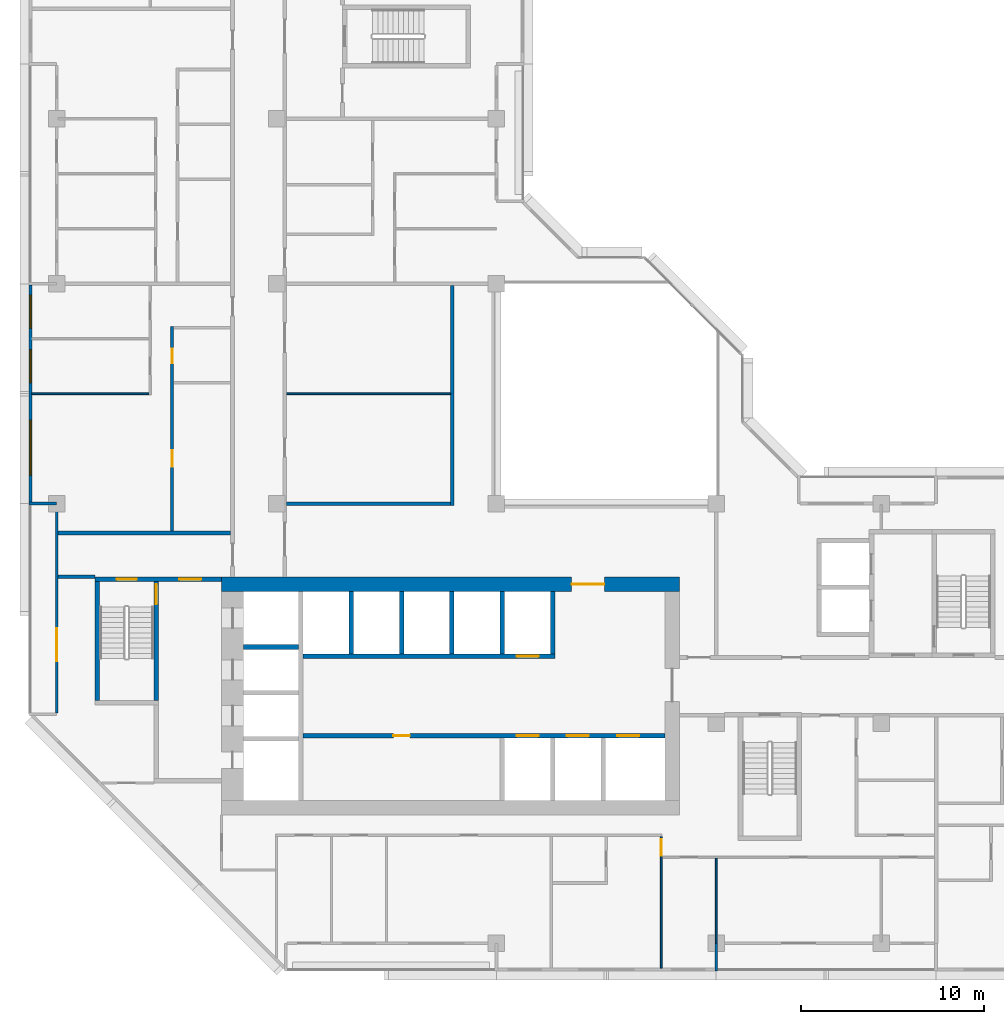
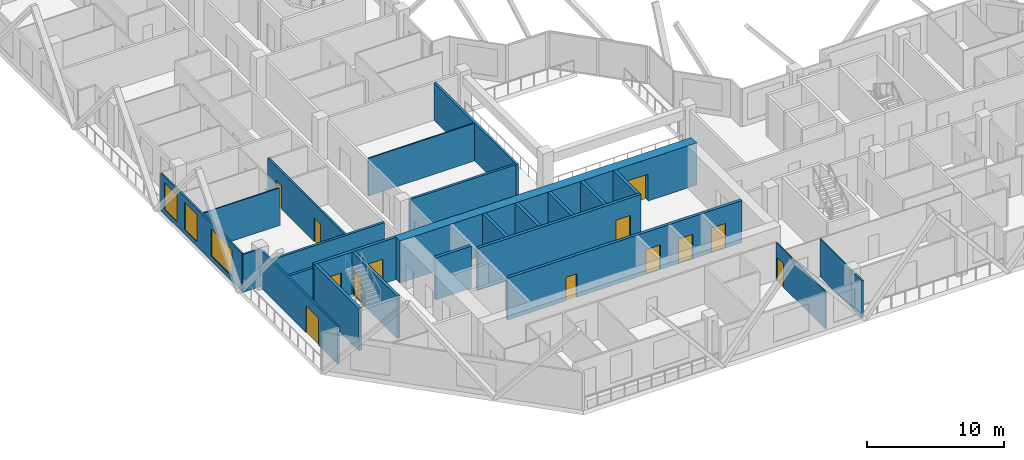
# One storey, part 5 of 14: 25 walls, 13 doors, 3 windows, 16 openings.
"""IFC4 building model written with IfcOpenShell, lengths in metres."""

from ifc_helpers import new_model, si_unit, direction, frame, frame_2d, origin, place, context, subcontext, project, spatial, rectangle, extrude, material, layer, layer_set, type_object, element, fill, save


model = new_model("IFC4")

# Units and contexts
model_context = context("Model", 3, precision=1e-05, world=origin(), true_north=direction((0.0, 1.0)))
body_context = subcontext(model_context, "Body", "Model", "MODEL_VIEW")
ifc_project = project(units=[si_unit("LENGTHUNIT", "METRE"), si_unit("AREAUNIT", "SQUARE_METRE"), si_unit("VOLUMEUNIT", "CUBIC_METRE"), si_unit("PLANEANGLEUNIT", "RADIAN"), si_unit("MASSUNIT", "GRAM", prefix="KILO")], contexts=[model_context])

# Site, building, storey
site_placement = place(None, origin())
site = spatial("IfcSite", under=ifc_project, at=site_placement, CompositionType="ELEMENT")
building_placement = place(site_placement, origin())
building = spatial("IfcBuilding", under=site, at=building_placement, Name="Chenar Terraces", CompositionType="ELEMENT")
storey_placement = place(building_placement, frame((0.0, 0.0, 164.89990234375)))
storey = spatial("IfcBuildingStorey", under=building, at=storey_placement, Name="L37", CompositionType="ELEMENT", Elevation=164.89990234375)

# Wall, openings, doors
ifc_material_1 = material(Name="Concrete C60/75", Category="concrete")
ifc_layer_1 = layer(ifc_material_1, 0.25)
ifc_layer_set_1 = layer_set([ifc_layer_1], Name="Concrete C60/75")
wall_type_1 = type_object("IfcWallType", Name="Core wall 250 Concrete C60/75", PredefinedType="SHEAR", material=ifc_layer_set_1)
wall_1_placement = place(storey_placement, frame((13.449951171875, 11.324951171875, 0.0), z_axis=(0.0, 0.0, 1.0), x_axis=(1.0, 0.0, 0.0)))
wall_1 = element("IfcWall", 1, at=wall_1_placement, inside=storey, type_object=wall_type_1, Name="Core wall SF L37", PredefinedType="SHEAR", context=body_context, shape_type="SweptSolid", body=[
    extrude(rectangle(XDim=19.75, YDim=0.25, at=frame_2d((9.875, 0.0))), origin(), (0.0, 0.0, 1.0), 3.75),
])
opening_1_placement = place(wall_1_placement, frame((11.64990234375, 0.0, 0.0)))
opening_1 = element("IfcOpeningElement", 2, at=opening_1_placement, cuts=wall_1, Name="Opening DL37-LD1", PredefinedType="OPENING", context=body_context, shape_type="SweptSolid", body=[
    extrude(rectangle(XDim=1.199951171875, YDim=2.199951171875, at=frame_2d((0.60009765625, 1.10009765625))), frame((0.0, 0.135009765625, 0.0), z_axis=(0.0, -1.0, 0.0), x_axis=(1.0, 0.0, 0.0)), (0.0, 0.0, 1.0), 0.27001953125),
])
opening_2_placement = place(wall_1_placement, frame((14.39990234375, 0.0, 0.0)))
opening_2 = element("IfcOpeningElement", 3, at=opening_2_placement, cuts=wall_1, Name="Opening DL37-LD2", PredefinedType="OPENING", context=body_context, shape_type="SweptSolid", body=[
    extrude(rectangle(XDim=1.199951171875, YDim=2.199951171875, at=frame_2d((0.60009765625, 1.10009765625))), frame((0.0, 0.135009765625, 0.0), z_axis=(0.0, -1.0, 0.0), x_axis=(1.0, 0.0, 0.0)), (0.0, 0.0, 1.0), 0.27001953125),
])
opening_3_placement = place(wall_1_placement, frame((17.14990234375, 0.0, 0.0)))
opening_3 = element("IfcOpeningElement", 4, at=opening_3_placement, cuts=wall_1, Name="Opening DL37-LD3", PredefinedType="OPENING", context=body_context, shape_type="SweptSolid", body=[
    extrude(rectangle(XDim=1.199951171875, YDim=2.199951171875, at=frame_2d((0.60009765625, 1.10009765625))), frame((0.0, 0.135009765625, 0.0), z_axis=(0.0, -1.0, 0.0), x_axis=(1.0, 0.0, 0.0)), (0.0, 0.0, 1.0), 0.27001953125),
])
opening_4_placement = place(wall_1_placement, frame((4.925048828125, 0.0, 0.0)))
opening_4 = element("IfcOpeningElement", 5, at=opening_4_placement, cuts=wall_1, Name="Opening DL37-C12", PredefinedType="OPENING", context=body_context, shape_type="SweptSolid", body=[
    extrude(rectangle(XDim=0.89990234375, YDim=2.10009765625, at=frame_2d((0.449951171875, 1.050048828125))), frame((0.0, 0.135009765625, 0.0), z_axis=(0.0, -1.0, 0.0), x_axis=(1.0, 0.0, 0.0)), (0.0, 0.0, 1.0), 0.27001953125),
])
ifc_material_2 = material(Name="Stainless steel", Category="steel")
door_type_1 = type_object("IfcDoorType", Name="Lift landing door 1200 x 2200 sliding", OperationType="DOUBLE_DOOR_SLIDING", PredefinedType="DOOR", material=ifc_material_2)
door_1_placement = place(opening_1_placement, origin())
door_1 = element("IfcDoor", 6, at=door_1_placement, inside=storey, type_object=door_type_1, Name="Landing door M1", OperationType="DOUBLE_DOOR_SLIDING", OverallHeight=2.199951171875, OverallWidth=1.199951171875, PredefinedType="DOOR", context=body_context, shape_type="SweptSolid", body=[
    extrude(rectangle(XDim=1.199951171875, YDim=2.199951171875, at=frame_2d((0.60009765625, 1.10009765625))), frame((0.0, 0.02490234375, 0.0), z_axis=(0.0, -1.0, 0.0), x_axis=(1.0, 0.0, 0.0)), (0.0, 0.0, 1.0), 0.050048828125),
])
fill(opening_1, door_1)
door_2_placement = place(opening_2_placement, origin())
door_2 = element("IfcDoor", 7, at=door_2_placement, inside=storey, type_object=door_type_1, Name="Landing door M2", OperationType="DOUBLE_DOOR_SLIDING", OverallHeight=2.199951171875, OverallWidth=1.199951171875, PredefinedType="DOOR", context=body_context, shape_type="SweptSolid", body=[
    extrude(rectangle(XDim=1.199951171875, YDim=2.199951171875, at=frame_2d((0.60009765625, 1.10009765625))), frame((0.0, 0.02490234375, 0.0), z_axis=(0.0, -1.0, 0.0), x_axis=(1.0, 0.0, 0.0)), (0.0, 0.0, 1.0), 0.050048828125),
])
fill(opening_2, door_2)
door_3_placement = place(opening_3_placement, origin())
door_3 = element("IfcDoor", 8, at=door_3_placement, inside=storey, type_object=door_type_1, Name="Landing door M3", OperationType="DOUBLE_DOOR_SLIDING", OverallHeight=2.199951171875, OverallWidth=1.199951171875, PredefinedType="DOOR", context=body_context, shape_type="SweptSolid", body=[
    extrude(rectangle(XDim=1.199951171875, YDim=2.199951171875, at=frame_2d((0.60009765625, 1.10009765625))), frame((0.0, 0.02490234375, 0.0), z_axis=(0.0, -1.0, 0.0), x_axis=(1.0, 0.0, 0.0)), (0.0, 0.0, 1.0), 0.050048828125),
])
fill(opening_3, door_3)
ifc_material_3 = material(Name="Steel-framed fire-resisting door leaf", Category="steel")
door_type_2 = type_object("IfcDoorType", Name="Riser fire door FD60 900 x 2100", OperationType="SINGLE_SWING_LEFT", PredefinedType="DOOR", material=ifc_material_3)
door_4_placement = place(opening_4_placement, frame((0.89990234375, 0.0, 0.0), z_axis=(0.0, 0.0, 1.0), x_axis=(-1.0, 0.0, 0.0)))
door_4 = element("IfcDoor", 9, at=door_4_placement, inside=storey, type_object=door_type_2, Name="Core room door DL37-C12", OperationType="SINGLE_SWING_RIGHT", OverallHeight=2.10009765625, OverallWidth=0.89990234375, PredefinedType="DOOR", context=body_context, shape_type="SweptSolid", body=[
    extrude(rectangle(XDim=0.89990234375, YDim=2.10009765625, at=frame_2d((0.449951171875, 1.050048828125))), frame((0.0, 0.02490234375, 0.0), z_axis=(0.0, -1.0, 0.0), x_axis=(1.0, 0.0, 0.0)), (0.0, 0.0, 1.0), 0.050048828125),
])
fill(opening_4, door_4)

# Wall, opening, door
wall_2_placement = place(storey_placement, frame((13.449951171875, 15.675048828125, 0.0), z_axis=(0.0, 0.0, 1.0), x_axis=(1.0, 0.0, 0.0)))
wall_2 = element("IfcWall", 10, at=wall_2_placement, inside=storey, type_object=wall_type_1, Name="Core wall NF L37", PredefinedType="SHEAR", context=body_context, shape_type="SweptSolid", body=[
    extrude(rectangle(XDim=13.75, YDim=0.25, at=frame_2d((6.875, 0.0))), origin(), (0.0, 0.0, 1.0), 3.75),
])
opening_5_placement = place(wall_2_placement, frame((11.64990234375, 0.0, 0.0)))
opening_5 = element("IfcOpeningElement", 11, at=opening_5_placement, cuts=wall_2, Name="Opening DL37-LD4", PredefinedType="OPENING", context=body_context, shape_type="SweptSolid", body=[
    extrude(rectangle(XDim=1.199951171875, YDim=2.199951171875, at=frame_2d((0.60009765625, 1.10009765625))), frame((0.0, 0.135009765625, 0.0), z_axis=(0.0, -1.0, 0.0), x_axis=(1.0, 0.0, 0.0)), (0.0, 0.0, 1.0), 0.27001953125),
])
door_5_placement = place(opening_5_placement, origin())
door_5 = element("IfcDoor", 12, at=door_5_placement, inside=storey, type_object=door_type_1, Name="Landing door M4", OperationType="DOUBLE_DOOR_SLIDING", OverallHeight=2.199951171875, OverallWidth=1.199951171875, PredefinedType="DOOR", context=body_context, shape_type="SweptSolid", body=[
    extrude(rectangle(XDim=1.199951171875, YDim=2.199951171875, at=frame_2d((0.60009765625, 1.10009765625))), frame((0.0, 0.02490234375, 0.0), z_axis=(0.0, -1.0, 0.0), x_axis=(1.0, 0.0, 0.0)), (0.0, 0.0, 1.0), 0.050048828125),
])
fill(opening_5, door_5)

# Walls
wall_3_placement = place(storey_placement, frame((10.199951171875, 16.175048828125, 0.0), z_axis=(0.0, 0.0, 1.0), x_axis=(1.0, 0.0, 0.0)))
element("IfcWall", 13, at=wall_3_placement, inside=storey, type_object=wall_type_1, Name="Core wall HW2 L37", PredefinedType="SHEAR", context=body_context, shape_type="SweptSolid", body=[
    extrude(rectangle(XDim=3.0, YDim=0.25, at=frame_2d((1.5, 0.0))), origin(), (0.0, 0.0, 1.0), 3.75),
])
for number, where, z_axis, x_axis, name in (
    (14, (16.074951171875, 15.800048828125, 0.0), (0.0, 0.0, 1.0), (0.0, 1.0, 0.0), "Core wall NS0 L37"),
    (15, (18.824951171875, 15.800048828125, 0.0), (0.0, 0.0, 1.0), (0.0, 1.0, 0.0), "Core wall NS1 L37"),
    (16, (21.574951171875, 15.800048828125, 0.0), (0.0, 0.0, 1.0), (0.0, 1.0, 0.0), "Core wall NS2 L37"),
    (17, (24.324951171875, 15.800048828125, 0.0), (0.0, 0.0, 1.0), (0.0, 1.0, 0.0), "Core wall NS3 L37"),
    (18, (27.074951171875, 15.800048828125, 0.0), (0.0, 0.0, 1.0), (0.0, 1.0, 0.0), "Core wall NE L37"),
):
    element("IfcWall", number, at=place(storey_placement, frame(where, z_axis=z_axis, x_axis=x_axis)), inside=storey, type_object=wall_type_1, Name=name, PredefinedType="SHEAR", context=body_context, shape_type="SweptSolid", body=[
        extrude(rectangle(XDim=3.39990234375, YDim=0.25, at=frame_2d((1.699951171875, 0.0))), origin(), (0.0, 0.0, 1.0), 3.75),
    ])

# Wall, openings, doors
wall_4_placement = place(storey_placement, frame((2.10009765625, 19.875, 0.0), z_axis=(0.0, 0.0, 1.0), x_axis=(1.0, 0.0, 0.0)))
wall_4 = element("IfcWall", 19, at=wall_4_placement, inside=storey, type_object=wall_type_1, Name="Core wall A_N L37", PredefinedType="SHEAR", context=body_context, shape_type="SweptSolid", body=[
    extrude(rectangle(XDim=6.89990234375, YDim=0.25, at=frame_2d((3.449951171875, 0.0))), origin(), (0.0, 0.0, 1.0), 3.75),
])
opening_6_placement = place(wall_4_placement, frame((1.175048828125, 0.0, 0.0)))
opening_6 = element("IfcOpeningElement", 20, at=opening_6_placement, cuts=wall_4, Name="Opening DL37-C5", PredefinedType="OPENING", context=body_context, shape_type="SweptSolid", body=[
    extrude(rectangle(XDim=1.10009765625, YDim=2.199951171875, at=frame_2d((0.550048828125, 1.10009765625))), frame((0.0, 0.135009765625, 0.0), z_axis=(0.0, -1.0, 0.0), x_axis=(1.0, 0.0, 0.0)), (0.0, 0.0, 1.0), 0.27001953125),
])
opening_7_placement = place(wall_4_placement, frame((4.60009765625, 0.0, 0.0)))
opening_7 = element("IfcOpeningElement", 21, at=opening_7_placement, cuts=wall_4, Name="Opening DL37-C6", PredefinedType="OPENING", context=body_context, shape_type="SweptSolid", body=[
    extrude(rectangle(XDim=1.199951171875, YDim=2.199951171875, at=frame_2d((0.60009765625, 1.10009765625))), frame((0.0, 0.135009765625, 0.0), z_axis=(0.0, -1.0, 0.0), x_axis=(1.0, 0.0, 0.0)), (0.0, 0.0, 1.0), 0.27001953125),
])
ifc_material_4 = material(Name="Steel-framed fire-resisting door leaf", Category="steel")
door_type_3 = type_object("IfcDoorType", Name="Lobby fire door FD60 1200 x 2200", OperationType="SINGLE_SWING_LEFT", PredefinedType="DOOR", material=ifc_material_4)
door_6_placement = place(opening_7_placement, frame((1.199951171875, 0.0, 0.0), z_axis=(0.0, 0.0, 1.0), x_axis=(-1.0, 0.0, 0.0)))
door_6 = element("IfcDoor", 22, at=door_6_placement, inside=storey, type_object=door_type_3, Name="Core door DL37-C6", OperationType="SINGLE_SWING_LEFT", OverallHeight=2.199951171875, OverallWidth=1.199951171875, PredefinedType="DOOR", context=body_context, shape_type="SweptSolid", body=[
    extrude(rectangle(XDim=1.199951171875, YDim=2.199951171875, at=frame_2d((0.60009765625, 1.10009765625))), frame((0.0, 0.02490234375, 0.0), z_axis=(0.0, -1.0, 0.0), x_axis=(1.0, 0.0, 0.0)), (0.0, 0.0, 1.0), 0.050048828125),
])
fill(opening_7, door_6)
ifc_material_5 = material(Name="Steel-framed fire-resisting door leaf", Category="steel")
door_type_4 = type_object("IfcDoorType", Name="Stair fire door FD60 1100 x 2200", OperationType="SINGLE_SWING_LEFT", PredefinedType="DOOR", material=ifc_material_5)
door_7_placement = place(opening_6_placement, origin())
door_7 = element("IfcDoor", 23, at=door_7_placement, inside=storey, type_object=door_type_4, Name="Stair door DL37-C5", OperationType="SINGLE_SWING_LEFT", OverallHeight=2.199951171875, OverallWidth=1.10009765625, PredefinedType="DOOR", context=body_context, shape_type="SweptSolid", body=[
    extrude(rectangle(XDim=1.10009765625, YDim=2.199951171875, at=frame_2d((0.550048828125, 1.10009765625))), frame((0.0, 0.02490234375, 0.0), z_axis=(0.0, -1.0, 0.0), x_axis=(1.0, 0.0, 0.0)), (0.0, 0.0, 1.0), 0.050048828125),
])
fill(opening_6, door_7)

# Wall
wall_5_placement = place(storey_placement, frame((2.22509765625, 13.25, 0.0), z_axis=(0.0, 0.0, 1.0), x_axis=(0.0, 1.0, 0.0)))
element("IfcWall", 24, at=wall_5_placement, inside=storey, type_object=wall_type_1, Name="Core wall ST1_W L37", PredefinedType="SHEAR", context=body_context, shape_type="SweptSolid", body=[
    extrude(rectangle(XDim=6.5, YDim=0.25, at=frame_2d((3.25, 0.0))), origin(), (0.0, 0.0, 1.0), 3.75),
])

# Wall, opening, door
wall_6_placement = place(storey_placement, frame((5.425048828125, 13.25, 0.0), z_axis=(0.0, 0.0, 1.0), x_axis=(0.0, 1.0, 0.0)))
wall_6 = element("IfcWall", 25, at=wall_6_placement, inside=storey, type_object=wall_type_1, Name="Core wall ST1_E L37", PredefinedType="SHEAR", context=body_context, shape_type="SweptSolid", body=[
    extrude(rectangle(XDim=6.5, YDim=0.25, at=frame_2d((3.25, 0.0))), origin(), (0.0, 0.0, 1.0), 3.75),
])
opening_8_placement = place(wall_6_placement, frame((5.25, 0.0, 0.0)))
opening_8 = element("IfcOpeningElement", 26, at=opening_8_placement, cuts=wall_6, Name="Opening DL37-C3", PredefinedType="OPENING", context=body_context, shape_type="SweptSolid", body=[
    extrude(rectangle(XDim=1.10009765625, YDim=2.199951171875, at=frame_2d((0.550048828125, 1.10009765625))), frame((0.0, 0.135009765625, 0.0), z_axis=(0.0, -1.0, 0.0), x_axis=(1.0, 0.0, 0.0)), (0.0, 0.0, 1.0), 0.27001953125),
])
door_8_placement = place(opening_8_placement, origin())
door_8 = element("IfcDoor", 27, at=door_8_placement, inside=storey, type_object=door_type_4, Name="Stair door DL37-C3", OperationType="SINGLE_SWING_RIGHT", OverallHeight=2.199951171875, OverallWidth=1.10009765625, PredefinedType="DOOR", context=body_context, shape_type="SweptSolid", body=[
    extrude(rectangle(XDim=1.10009765625, YDim=2.199951171875, at=frame_2d((0.550048828125, 1.10009765625))), frame((0.0, 0.02490234375, 0.0), z_axis=(0.0, -1.0, 0.0), x_axis=(1.0, 0.0, 0.0)), (0.0, 0.0, 1.0), 0.050048828125),
])
fill(opening_8, door_8)

ifc_material_6 = material(Name="Concrete C60/75", Category="concrete")
ifc_layer_2 = layer(ifc_material_6, 0.800048828125)
ifc_layer_set_2 = layer_set([ifc_layer_2], Name="Concrete C60/75")
wall_type_2 = type_object("IfcWallType", Name="Core wall 800 Concrete C60/75", PredefinedType="SHEAR", material=ifc_layer_set_2)
wall_7_placement = place(storey_placement, frame((9.0, 19.60009765625, 0.0), z_axis=(0.0, 0.0, 1.0), x_axis=(1.0, 0.0, 0.0)))
wall_7 = element("IfcWall", 28, at=wall_7_placement, inside=storey, type_object=wall_type_2, Name="Core wall N L37", PredefinedType="SHEAR", context=body_context, shape_type="SweptSolid", body=[
    extrude(rectangle(XDim=25.0, YDim=0.800048828125, at=frame_2d((12.5, 0.0))), origin(), (0.0, 0.0, 1.0), 3.75),
])
opening_9_placement = place(wall_7_placement, frame((19.10009765625, 0.0, 0.0)))
opening_9 = element("IfcOpeningElement", 29, at=opening_9_placement, cuts=wall_7, Name="Opening DL37-C2", PredefinedType="OPENING", context=body_context, shape_type="SweptSolid", body=[
    extrude(rectangle(XDim=1.800048828125, YDim=2.39990234375, at=frame_2d((0.89990234375, 1.199951171875))), frame((0.0, 0.409912109375, 0.0), z_axis=(0.0, -1.0, 0.0), x_axis=(1.0, 0.0, 0.0)), (0.0, 0.0, 1.0), 0.820068359375),
])
ifc_material_7 = material(Name="Steel-framed fire-resisting door leaf", Category="steel")
door_type_5 = type_object("IfcDoorType", Name="Core entrance double fire door FD60 1800 x 2400", OperationType="DOUBLE_DOOR_SINGLE_SWING", PredefinedType="DOOR", material=ifc_material_7)
door_9_placement = place(opening_9_placement, frame((1.800048828125, 0.0, 0.0), z_axis=(0.0, 0.0, 1.0), x_axis=(-1.0, 0.0, 0.0)))
door_9 = element("IfcDoor", 30, at=door_9_placement, inside=storey, type_object=door_type_5, Name="Core door DL37-C2", OperationType="DOUBLE_DOOR_SINGLE_SWING", OverallHeight=2.39990234375, OverallWidth=1.800048828125, PredefinedType="DOOR", context=body_context, shape_type="SweptSolid", body=[
    extrude(rectangle(XDim=1.800048828125, YDim=2.39990234375, at=frame_2d((0.89990234375, 1.199951171875))), frame((0.0, 0.02490234375, 0.0), z_axis=(0.0, -1.0, 0.0), x_axis=(1.0, 0.0, 0.0)), (0.0, 0.0, 1.0), 0.050048828125),
])
fill(opening_9, door_9)

# Walls
ifc_material_8 = material(Name="Gypsum board on steel studs with fire boards", Category="steel")
ifc_layer_3 = layer(ifc_material_8, 0.199951171875)
ifc_layer_set_3 = layer_set([ifc_layer_3], Name="Gypsum board on steel studs with fire boards")
wall_type_3 = type_object("IfcWallType", Name="Corridor wall 200", PredefinedType="PARTITIONING", material=ifc_layer_set_3)
wall_8_placement = place(storey_placement, frame((0.073974609375, 20.0, 0.0), z_axis=(0.0, 0.0, 1.0), x_axis=(1.0, 0.0, 0.0)))
element("IfcWall", 31, at=wall_8_placement, inside=storey, type_object=wall_type_3, Name="Partition L37-007", PredefinedType="PARTITIONING", context=body_context, shape_type="SweptSolid", body=[
    extrude(rectangle(XDim=2.026123046875, YDim=0.199951171875, at=frame_2d((1.01318359375, 0.0))), origin(), (0.0, 0.0, 1.0), 3.35009765625),
])
wall_9_placement = place(storey_placement, frame((0.073974609375, 22.39990234375, 0.0), z_axis=(0.0, 0.0, 1.0), x_axis=(1.0, 0.0, 0.0)))
element("IfcWall", 32, at=wall_9_placement, inside=storey, type_object=wall_type_3, Name="Partition L37-008", PredefinedType="PARTITIONING", context=body_context, shape_type="SweptSolid", body=[
    extrude(rectangle(XDim=9.426025390625, YDim=0.199951171875, at=frame_2d((4.712890625, 0.0))), origin(), (0.0, 0.0, 1.0), 3.35009765625),
])
wall_10_placement = place(storey_placement, frame((12.550048828125, 24.0, 0.0), z_axis=(0.0, 0.0, 1.0), x_axis=(1.0, 0.0, 0.0)))
element("IfcWall", 33, at=wall_10_placement, inside=storey, type_object=wall_type_3, Name="Partition L37-032", PredefinedType="PARTITIONING", context=body_context, shape_type="SweptSolid", body=[
    extrude(rectangle(XDim=8.949951171875, YDim=0.199951171875, at=frame_2d((4.47509765625, 0.0))), origin(), (0.0, 0.0, 1.0), 3.35009765625),
])
wall_11_placement = place(storey_placement, frame((21.60009765625, 23.89990234375, 0.0), z_axis=(0.0, 0.0, 1.0), x_axis=(0.0, 1.0, 0.0)))
element("IfcWall", 34, at=wall_11_placement, inside=storey, type_object=wall_type_3, Name="Partition L37-053", PredefinedType="PARTITIONING", context=body_context, shape_type="SweptSolid", body=[
    extrude(rectangle(XDim=12.0, YDim=0.199951171875, at=frame_2d((6.0, 0.0))), origin(), (0.0, 0.0, 1.0), 3.35009765625),
])

# Wall, openings, windows
ifc_material_9 = material(Name="Aluminium framed glazing", Category="aluminium")
ifc_layer_4 = layer(ifc_material_9, 0.14990234375)
ifc_layer_set_4 = layer_set([ifc_layer_4], Name="Aluminium framed glazing")
wall_type_4 = type_object("IfcWallType", Name="Glazed flush facade wall 150", PredefinedType="SOLIDWALL", material=ifc_layer_set_4)
wall_12_placement = place(storey_placement, frame((-1.425048828125, 35.925048828125, 0.0), z_axis=(0.0, 0.0, 1.0), x_axis=(0.0, -1.0, 0.0)))
wall_12 = element("IfcWall", 35, at=wall_12_placement, inside=storey, type_object=wall_type_4, Name="Glazed flush facade wall", PredefinedType="SOLIDWALL", context=body_context, shape_type="SweptSolid", body=[
    extrude(rectangle(XDim=11.85009765625, YDim=0.14990234375, at=frame_2d((5.925048828125, 0.0))), origin(), (0.0, 0.0, 1.0), 3.35009765625),
])
opening_10_placement = place(wall_12_placement, frame((0.5625, 0.0, 0.449951171875)))
opening_10 = element("IfcOpeningElement", 36, at=opening_10_placement, cuts=wall_12, Name="Opening W180x240", PredefinedType="OPENING", context=body_context, shape_type="SweptSolid", body=[
    extrude(rectangle(XDim=1.800048828125, YDim=2.39990234375, at=frame_2d((0.89990234375, 1.199951171875))), frame((0.0, 0.0849609375, 0.0), z_axis=(0.0, -1.0, 0.0), x_axis=(1.0, 0.0, 0.0)), (0.0, 0.0, 1.0), 0.169921875),
])
opening_11_placement = place(wall_12_placement, frame((3.52490234375, 0.0, 0.449951171875)))
opening_11 = element("IfcOpeningElement", 37, at=opening_11_placement, cuts=wall_12, Name="Opening W180x240", PredefinedType="OPENING", context=body_context, shape_type="SweptSolid", body=[
    extrude(rectangle(XDim=1.800048828125, YDim=2.39990234375, at=frame_2d((0.89990234375, 1.199951171875))), frame((0.0, 0.0849609375, 0.0), z_axis=(0.0, -1.0, 0.0), x_axis=(1.0, 0.0, 0.0)), (0.0, 0.0, 1.0), 0.169921875),
])
opening_12_placement = place(wall_12_placement, frame((7.387451171875, 0.0, 0.449951171875)))
opening_12 = element("IfcOpeningElement", 38, at=opening_12_placement, cuts=wall_12, Name="Opening W300x240", PredefinedType="OPENING", context=body_context, shape_type="SweptSolid", body=[
    extrude(rectangle(XDim=3.0, YDim=2.39990234375, at=frame_2d((1.5, 1.199951171875))), frame((0.0, 0.0849609375, 0.0), z_axis=(0.0, -1.0, 0.0), x_axis=(1.0, 0.0, 0.0)), (0.0, 0.0, 1.0), 0.169921875),
])
ifc_material_10 = material(Name="Low emissivity double glazing, aluminium frame", Category="aluminium")
window_type_1 = type_object("IfcWindowType", Name="Fixed light 1800 x 2400", PartitioningType="SINGLE_PANEL", PredefinedType="WINDOW", material=ifc_material_10)
window_1_placement = place(opening_10_placement, origin())
window_1 = element("IfcWindow", 39, at=window_1_placement, inside=storey, type_object=window_type_1, Name="Window", OverallHeight=2.39990234375, OverallWidth=1.800048828125, PartitioningType="SINGLE_PANEL", PredefinedType="WINDOW", context=body_context, shape_type="SweptSolid", body=[
    extrude(rectangle(XDim=1.800048828125, YDim=2.39990234375, at=frame_2d((0.89990234375, 1.199951171875))), frame((0.0, 0.030029296875, 0.0), z_axis=(0.0, -1.0, 0.0), x_axis=(1.0, 0.0, 0.0)), (0.0, 0.0, 1.0), 0.06005859375),
])
fill(opening_10, window_1)
window_2_placement = place(opening_11_placement, origin())
window_2 = element("IfcWindow", 40, at=window_2_placement, inside=storey, type_object=window_type_1, Name="Window", OverallHeight=2.39990234375, OverallWidth=1.800048828125, PartitioningType="SINGLE_PANEL", PredefinedType="WINDOW", context=body_context, shape_type="SweptSolid", body=[
    extrude(rectangle(XDim=1.800048828125, YDim=2.39990234375, at=frame_2d((0.89990234375, 1.199951171875))), frame((0.0, 0.030029296875, 0.0), z_axis=(0.0, -1.0, 0.0), x_axis=(1.0, 0.0, 0.0)), (0.0, 0.0, 1.0), 0.06005859375),
])
fill(opening_11, window_2)
ifc_material_11 = material(Name="Low emissivity double glazing, aluminium frame", Category="aluminium")
window_type_2 = type_object("IfcWindowType", Name="Fixed light 3000 x 2400", PartitioningType="SINGLE_PANEL", PredefinedType="WINDOW", material=ifc_material_11)
window_3_placement = place(opening_12_placement, origin())
window_3 = element("IfcWindow", 41, at=window_3_placement, inside=storey, type_object=window_type_2, Name="Window", OverallHeight=2.39990234375, OverallWidth=3.0, PartitioningType="SINGLE_PANEL", PredefinedType="WINDOW", context=body_context, shape_type="SweptSolid", body=[
    extrude(rectangle(XDim=3.0, YDim=2.39990234375, at=frame_2d((1.5, 1.199951171875))), frame((0.0, 0.030029296875, 0.0), z_axis=(0.0, -1.0, 0.0), x_axis=(1.0, 0.0, 0.0)), (0.0, 0.0, 1.0), 0.06005859375),
])
fill(opening_12, window_3)

# Wall, opening, door
ifc_material_12 = material(Name="Aluminium framed glazing", Category="aluminium")
ifc_layer_5 = layer(ifc_material_12, 0.14990234375)
ifc_layer_set_5 = layer_set([ifc_layer_5], Name="Aluminium framed glazing")
wall_type_5 = type_object("IfcWallType", Name="Glazed loggia back wall 150", PredefinedType="SOLIDWALL", material=ifc_layer_set_5)
wall_13_placement = place(storey_placement, frame((0.0, 23.925048828125, 0.0), z_axis=(0.0, 0.0, 1.0), x_axis=(0.0, -1.0, 0.0)))
wall_13 = element("IfcWall", 42, at=wall_13_placement, inside=storey, type_object=wall_type_5, Name="Glazed loggia back wall", PredefinedType="SOLIDWALL", context=body_context, shape_type="SweptSolid", body=[
    extrude(rectangle(XDim=11.35009765625, YDim=0.14990234375, at=frame_2d((5.675048828125, 0.0))), origin(), (0.0, 0.0, 1.0), 3.35009765625),
])
opening_13_placement = place(wall_13_placement, frame((6.737548828125, 0.0, 0.0)))
opening_13 = element("IfcOpeningElement", 43, at=opening_13_placement, cuts=wall_13, Name="Opening DL37-G4", PredefinedType="OPENING", context=body_context, shape_type="SweptSolid", body=[
    extrude(rectangle(XDim=1.800048828125, YDim=2.39990234375, at=frame_2d((0.89990234375, 1.199951171875))), frame((0.0, 0.0849609375, 0.0), z_axis=(0.0, -1.0, 0.0), x_axis=(1.0, 0.0, 0.0)), (0.0, 0.0, 1.0), 0.169921875),
])
ifc_material_13 = material(Name="Low emissivity double glazing, aluminium frame", Category="aluminium")
door_type_6 = type_object("IfcDoorType", Name="Loggia glazed double door 1800 x 2400", OperationType="DOUBLE_DOOR_SINGLE_SWING", PredefinedType="DOOR", material=ifc_material_13)
door_10_placement = place(opening_13_placement, frame((1.800048828125, 0.0, 0.0), z_axis=(0.0, 0.0, 1.0), x_axis=(-1.0, 0.0, 0.0)))
door_10 = element("IfcDoor", 44, at=door_10_placement, inside=storey, type_object=door_type_6, Name="Loggia glazed door", OperationType="DOUBLE_DOOR_SINGLE_SWING", OverallHeight=2.39990234375, OverallWidth=1.800048828125, PredefinedType="DOOR", context=body_context, shape_type="SweptSolid", body=[
    extrude(rectangle(XDim=1.800048828125, YDim=2.39990234375, at=frame_2d((0.89990234375, 1.199951171875))), frame((0.0, 0.02490234375, 0.0), z_axis=(0.0, -1.0, 0.0), x_axis=(1.0, 0.0, 0.0)), (0.0, 0.0, 1.0), 0.050048828125),
])
fill(opening_13, door_10)

# Walls
ifc_material_14 = material(Name="Gypsum board on steel studs", Category="steel")
ifc_layer_6 = layer(ifc_material_14, 0.10009765625)
ifc_layer_set_6 = layer_set([ifc_layer_6], Name="Gypsum board on steel studs")
wall_type_6 = type_object("IfcWallType", Name="Gypsum partition 100", PredefinedType="PARTITIONING", material=ifc_layer_set_6)
wall_14_placement = place(storey_placement, frame((-1.35009765625, 30.0, 0.0), z_axis=(0.0, 0.0, 1.0), x_axis=(1.0, 0.0, 0.0)))
element("IfcWall", 45, at=wall_14_placement, inside=storey, type_object=wall_type_6, Name="Partition L37-003", PredefinedType="PARTITIONING", context=body_context, shape_type="SweptSolid", body=[
    extrude(rectangle(XDim=6.400146484375, YDim=0.10009765625, at=frame_2d((3.2001953125, 0.0))), origin(), (0.0, 0.0, 1.0), 3.35009765625),
])
wall_15_placement = place(storey_placement, frame((12.550048828125, 30.0, 0.0), z_axis=(0.0, 0.0, 1.0), x_axis=(1.0, 0.0, 0.0)))
element("IfcWall", 46, at=wall_15_placement, inside=storey, type_object=wall_type_6, Name="Partition L37-033", PredefinedType="PARTITIONING", context=body_context, shape_type="SweptSolid", body=[
    extrude(rectangle(XDim=8.949951171875, YDim=0.10009765625, at=frame_2d((4.47509765625, 0.0))), origin(), (0.0, 0.0, 1.0), 3.35009765625),
])

# Wall, opening, door
wall_16_placement = place(storey_placement, frame((33.0, -1.35107421875, 0.0), z_axis=(0.0, 0.0, 1.0), x_axis=(0.0, 1.0, 0.0)))
wall_16 = element("IfcWall", 47, at=wall_16_placement, inside=storey, type_object=wall_type_6, Name="Partition L37-057", PredefinedType="PARTITIONING", context=body_context, shape_type="SweptSolid", body=[
    extrude(rectangle(XDim=7.176025390625, YDim=0.10009765625, at=frame_2d((3.587890625, 0.0))), origin(), (0.0, 0.0, 1.0), 3.35009765625),
])
opening_14_placement = place(wall_16_placement, frame((6.1259765625, 0.0, 0.0)))
opening_14 = element("IfcOpeningElement", 48, at=opening_14_placement, cuts=wall_16, Name="Opening DL37-52", PredefinedType="OPENING", context=body_context, shape_type="SweptSolid", body=[
    extrude(rectangle(XDim=0.89990234375, YDim=2.10009765625, at=frame_2d((0.449951171875, 1.050048828125))), frame((0.0, 0.06005859375, 0.0), z_axis=(0.0, -1.0, 0.0), x_axis=(1.0, 0.0, 0.0)), (0.0, 0.0, 1.0), 0.1201171875),
])
ifc_material_15 = material(Name="Veneered timber door leaf", Category="wood")
door_type_7 = type_object("IfcDoorType", Name="Door 900 x 2100", OperationType="SINGLE_SWING_LEFT", PredefinedType="DOOR", material=ifc_material_15)
door_11_placement = place(opening_14_placement, origin())
door_11 = element("IfcDoor", 49, at=door_11_placement, inside=storey, type_object=door_type_7, Name="Door DL37-52", OperationType="SINGLE_SWING_RIGHT", OverallHeight=2.10009765625, OverallWidth=0.89990234375, PredefinedType="DOOR", context=body_context, shape_type="SweptSolid", body=[
    extrude(rectangle(XDim=0.89990234375, YDim=2.10009765625, at=frame_2d((0.449951171875, 1.050048828125))), frame((0.0, 0.02490234375, 0.0), z_axis=(0.0, -1.0, 0.0), x_axis=(1.0, 0.0, 0.0)), (0.0, 0.0, 1.0), 0.050048828125),
])
fill(opening_14, door_11)

# Walls
wall_17_placement = place(storey_placement, frame((36.0, 0.0, 0.0), z_axis=(0.0, 0.0, 1.0), x_axis=(0.0, 1.0, 0.0)))
element("IfcWall", 50, at=wall_17_placement, inside=storey, type_object=wall_type_6, Name="Partition L37-061", PredefinedType="PARTITIONING", context=body_context, shape_type="SweptSolid", body=[
    extrude(rectangle(XDim=4.64990234375, YDim=0.10009765625, at=frame_2d((2.324951171875, 0.0))), origin(), (0.0, 0.0, 1.0), 3.35009765625),
])
ifc_material_16 = material(Name="Terracotta cladding on insulated backing", Category="masonry")
ifc_layer_7 = layer(ifc_material_16, 0.14990234375)
ifc_layer_set_7 = layer_set([ifc_layer_7], Name="Terracotta cladding on insulated backing")
wall_type_7 = type_object("IfcWallType", Name="Loggia return wall 150", PredefinedType="SOLIDWALL", material=ifc_layer_set_7)
for number, where, z_axis, x_axis, name in (
    (51, (-1.5, 24.0, 0.0), (0.0, 0.0, 1.0), (1.0, 0.0, 0.0), "Loggia return wall"),
    (52, (36.0, -1.5, 0.0), (0.0, 0.0, 1.0), (0.0, 1.0, 0.0), "Loggia return wall"),
):
    element("IfcWall", number, at=place(storey_placement, frame(where, z_axis=z_axis, x_axis=x_axis)), inside=storey, type_object=wall_type_7, Name=name, PredefinedType="SOLIDWALL", context=body_context, shape_type="SweptSolid", body=[
        extrude(rectangle(XDim=1.5, YDim=0.14990234375, at=frame_2d((0.75, 0.0))), origin(), (0.0, 0.0, 1.0), 3.35009765625),
    ])

# Wall, openings, doors
ifc_material_17 = material(Name="Moisture-resistant gypsum board on steel studs", Category="steel")
ifc_layer_8 = layer(ifc_material_17, 0.14990234375)
ifc_layer_set_8 = layer_set([ifc_layer_8], Name="Moisture-resistant gypsum board on steel studs")
wall_type_8 = type_object("IfcWallType", Name="Wet-room partition 150", PredefinedType="PARTITIONING", material=ifc_layer_set_8)
wall_18_placement = place(storey_placement, frame((6.300048828125, 22.5, 0.0), z_axis=(0.0, 0.0, 1.0), x_axis=(0.0, 1.0, 0.0)))
wall_18 = element("IfcWall", 53, at=wall_18_placement, inside=storey, type_object=wall_type_8, Name="Partition L37-016", PredefinedType="PARTITIONING", context=body_context, shape_type="SweptSolid", body=[
    extrude(rectangle(XDim=11.175048828125, YDim=0.14990234375, at=frame_2d((5.58740234375, 0.0))), origin(), (0.0, 0.0, 1.0), 3.35009765625),
])
opening_15_placement = place(wall_18_placement, frame((9.14990234375, 0.0, 0.0)))
opening_15 = element("IfcOpeningElement", 54, at=opening_15_placement, cuts=wall_18, Name="Opening DL37-58", PredefinedType="OPENING", context=body_context, shape_type="SweptSolid", body=[
    extrude(rectangle(XDim=0.800048828125, YDim=2.10009765625, at=frame_2d((0.39990234375, 1.050048828125))), frame((0.0, 0.0849609375, 0.0), z_axis=(0.0, -1.0, 0.0), x_axis=(1.0, 0.0, 0.0)), (0.0, 0.0, 1.0), 0.169921875),
])
opening_16_placement = place(wall_18_placement, frame((3.5, 0.0, 0.0)))
opening_16 = element("IfcOpeningElement", 55, at=opening_16_placement, cuts=wall_18, Name="Opening DL37-61", PredefinedType="OPENING", context=body_context, shape_type="SweptSolid", body=[
    extrude(rectangle(XDim=0.89990234375, YDim=2.10009765625, at=frame_2d((0.449951171875, 1.050048828125))), frame((0.0, 0.0849609375, 0.0), z_axis=(0.0, -1.0, 0.0), x_axis=(1.0, 0.0, 0.0)), (0.0, 0.0, 1.0), 0.169921875),
])
ifc_material_18 = material(Name="Veneered timber door leaf", Category="wood")
door_type_8 = type_object("IfcDoorType", Name="Door 800 x 2100", OperationType="SINGLE_SWING_LEFT", PredefinedType="DOOR", material=ifc_material_18)
door_12_placement = place(opening_15_placement, frame((0.800048828125, 0.0, 0.0), z_axis=(0.0, 0.0, 1.0), x_axis=(-1.0, 0.0, 0.0)))
door_12 = element("IfcDoor", 56, at=door_12_placement, inside=storey, type_object=door_type_8, Name="Door DL37-58", OperationType="SINGLE_SWING_RIGHT", OverallHeight=2.10009765625, OverallWidth=0.800048828125, PredefinedType="DOOR", context=body_context, shape_type="SweptSolid", body=[
    extrude(rectangle(XDim=0.800048828125, YDim=2.10009765625, at=frame_2d((0.39990234375, 1.050048828125))), frame((0.0, 0.02490234375, 0.0), z_axis=(0.0, -1.0, 0.0), x_axis=(1.0, 0.0, 0.0)), (0.0, 0.0, 1.0), 0.050048828125),
])
fill(opening_15, door_12)
door_13_placement = place(opening_16_placement, frame((0.89990234375, 0.0, 0.0), z_axis=(0.0, 0.0, 1.0), x_axis=(-1.0, 0.0, 0.0)))
door_13 = element("IfcDoor", 57, at=door_13_placement, inside=storey, type_object=door_type_7, Name="Door DL37-61", OperationType="SINGLE_SWING_RIGHT", OverallHeight=2.10009765625, OverallWidth=0.89990234375, PredefinedType="DOOR", context=body_context, shape_type="SweptSolid", body=[
    extrude(rectangle(XDim=0.89990234375, YDim=2.10009765625, at=frame_2d((0.449951171875, 1.050048828125))), frame((0.0, 0.02490234375, 0.0), z_axis=(0.0, -1.0, 0.0), x_axis=(1.0, 0.0, 0.0)), (0.0, 0.0, 1.0), 0.050048828125),
])
fill(opening_16, door_13)

save(model, "model.ifc")
